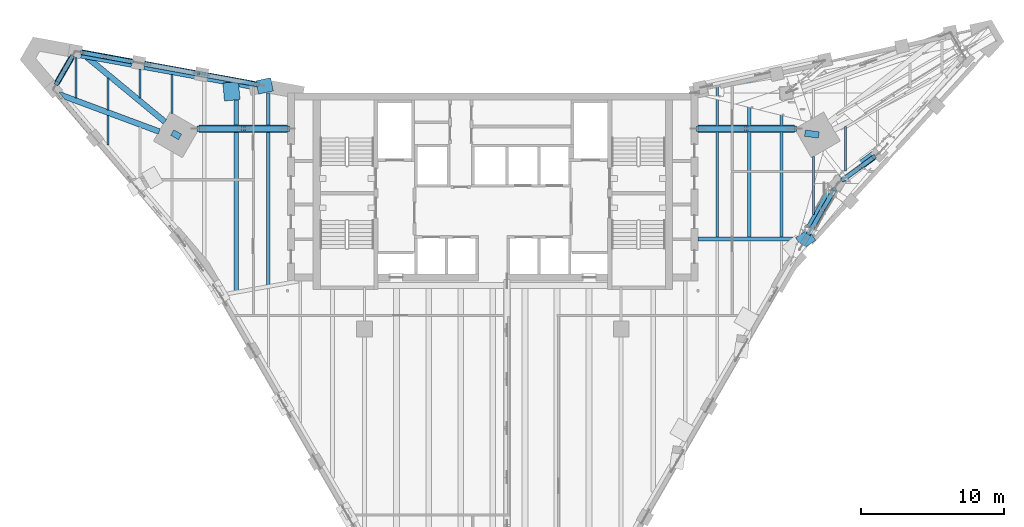
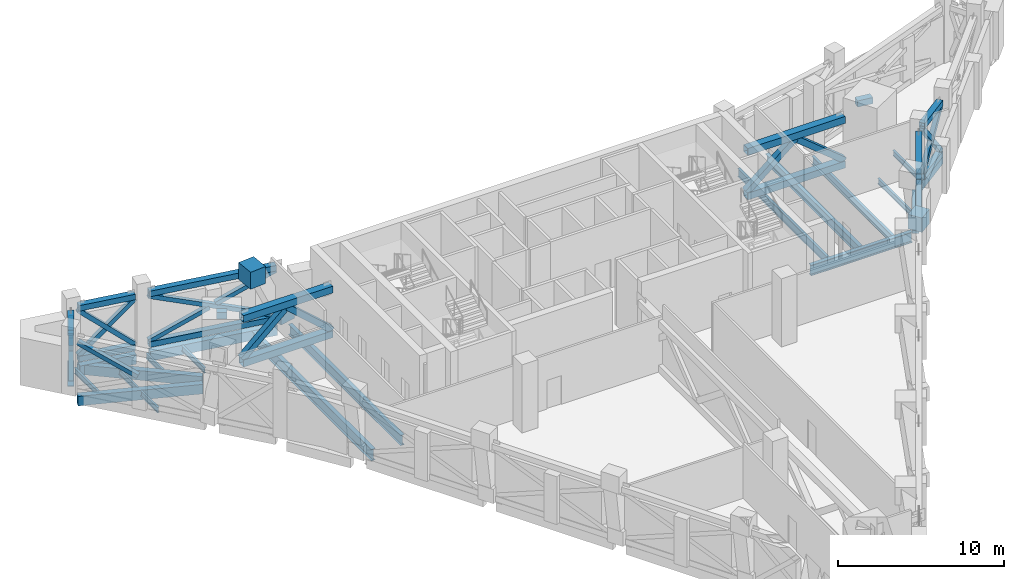
# One storey, part 4 of 23: 34 members, 24 beams.
"""IFC4 building model written with IfcOpenShell, lengths in metres."""

import ifcopenshell
import ifcopenshell.guid

model = None  # the IFC model being written
_history = None  # IfcOwnerHistory: only IFC2X3 demands one
_inside = {}  # id of a spatial element -> (the spatial element, [elements in it])
_under = {}  # id of a project, library or spatial element -> (it, [spatial elements below it])
_declared = {}  # id of a project -> (the project, [libraries it declares])
_typed = {}  # id of a type object -> (the type object, [elements of that type])
_made_of = {}  # id of a material, layer set ... -> (it, [elements and type objects made of it])


def new_model(schema):
    """Start an empty IFC model of exactly this schema.

    Asked for "IFC4X3", IfcOpenShell would pick the latest addendum, in which some entities
    have other attributes; the version numbers below select the first issue.
    IFC2X3 requires an IfcOwnerHistory on every rooted entity: one is made here for all.
    """
    global model, _history
    if schema == "IFC4X3":
        model = ifcopenshell.file(schema_version=(4, 3, 0, 0))
    else:
        model = ifcopenshell.file(schema=schema)
    _inside.clear()
    _under.clear()
    _declared.clear()
    _typed.clear()
    _made_of.clear()
    _history = None
    if model.schema == "IFC2X3":
        org = make("IfcOrganization", Name="unknown")
        user = make(
            "IfcPersonAndOrganization",
            ThePerson=make("IfcPerson", FamilyName="unknown"),
            TheOrganization=org,
        )
        app = make(
            "IfcApplication",
            ApplicationDeveloper=org,
            Version="unknown",
            ApplicationFullName="unknown",
            ApplicationIdentifier="unknown",
        )
        _history = make(
            "IfcOwnerHistory",
            OwningUser=user,
            OwningApplication=app,
            ChangeAction="ADDED",
            CreationDate=0,
        )
    return model


def make(cls, **values):
    """One entity of the class cls with the attributes given. An attribute that is None is left unset."""
    return model.create_entity(
        cls, **{name: value for name, value in values.items() if value is not None}
    )


def rooted(cls, **values):
    """An entity with a GlobalId (a new one), such as an element, a storey or a relation."""
    return make(cls, GlobalId=ifcopenshell.guid.new(), OwnerHistory=_history, **values)


def si_unit(unit_type, name, prefix=None):
    """IfcSIUnit, for example si_unit("LENGTHUNIT", "METRE", prefix="MILLI")."""
    return make("IfcSIUnit", UnitType=unit_type, Prefix=prefix, Name=name)


def assignment(units):
    """IfcUnitAssignment: the units of a project."""
    return None if units is None else make("IfcUnitAssignment", Units=units)


def point(xyz):
    """IfcCartesianPoint."""
    return None if xyz is None else make("IfcCartesianPoint", Coordinates=xyz)


def direction(xyz):
    """IfcDirection."""
    return None if xyz is None else make("IfcDirection", DirectionRatios=xyz)


def frame(location, z_axis=None, x_axis=None):
    """IfcAxis2Placement3D, a coordinate frame: its origin and axes. An axis left out is left unset."""
    return make(
        "IfcAxis2Placement3D",
        Location=point(location),
        Axis=direction(z_axis),
        RefDirection=direction(x_axis),
    )


def frame_2d(location, x_axis=None):
    """IfcAxis2Placement2D, a coordinate frame in the plane: its origin and x axis."""
    return make(
        "IfcAxis2Placement2D", Location=point(location), RefDirection=direction(x_axis)
    )


def origin():
    """The frame at (0, 0, 0) with its axes left unset."""
    return frame((0.0, 0.0, 0.0))


def origin_2d():
    """The frame at (0, 0) in the plane with its x axis left unset."""
    return frame_2d((0.0, 0.0))


def place(relative_to, where):
    """IfcLocalPlacement: puts the frame where relative to a parent placement (None: the world)."""
    return make(
        "IfcLocalPlacement", PlacementRelTo=relative_to, RelativePlacement=where
    )


def context(
    kind, dimensions, precision=None, world=None, true_north=None, identifier=None
):
    """IfcGeometricRepresentationContext, for example the 3D "Model" context."""
    return make(
        "IfcGeometricRepresentationContext",
        ContextIdentifier=identifier,
        ContextType=kind,
        CoordinateSpaceDimension=dimensions,
        Precision=precision,
        WorldCoordinateSystem=world,
        TrueNorth=true_north,
    )


def subcontext(parent, identifier, kind, view, scale=None):
    """IfcGeometricRepresentationSubContext, for example "Body" below "Model"."""
    return make(
        "IfcGeometricRepresentationSubContext",
        ContextIdentifier=identifier,
        ContextType=kind,
        ParentContext=parent,
        TargetScale=scale,
        TargetView=view,
    )


def project(units=None, contexts=None):
    """IfcProject with its units and contexts."""
    return rooted(
        "IfcProject",
        Name="project",
        RepresentationContexts=contexts,
        UnitsInContext=assignment(units),
    )


def spatial(cls, under=None, at=None, **own):
    """A site, building, storey or space (cls), placed at a placement, below another one or the project."""
    s = rooted(cls, ObjectPlacement=at, **own)
    if under is not None:
        _under.setdefault(under.id(), (under, []))[1].append(s)
    return s


def profile(cls, at=None, kind="AREA", **sizes):
    """A parametric profile (cls). Its sizes go by their IFC names, for example OverallWidth=200.0."""
    return make(cls, ProfileType=kind, Position=at, **sizes)


def rectangle(**sizes):
    """IfcRectangleProfileDef."""
    return profile("IfcRectangleProfileDef", **sizes)


def hollow_rectangle(**sizes):
    """IfcRectangleHollowProfileDef."""
    return profile("IfcRectangleHollowProfileDef", **sizes)


def i_section(**sizes):
    """IfcIShapeProfileDef."""
    return profile("IfcIShapeProfileDef", **sizes)


def extrude(swept, where, along, depth):
    """IfcExtrudedAreaSolid: the profile swept, set in the frame where, extruded along a direction by depth."""
    return make(
        "IfcExtrudedAreaSolid",
        SweptArea=swept,
        Position=where,
        ExtrudedDirection=direction(along),
        Depth=depth,
    )


def shape(context_of_items, identifier, shape_type, items):
    """IfcShapeRepresentation: the items that make up one representation, for example the "Body"."""
    return make(
        "IfcShapeRepresentation",
        ContextOfItems=context_of_items,
        RepresentationIdentifier=identifier,
        RepresentationType=shape_type,
        Items=items,
    )


def material(Name=None, Category=None):
    """IfcMaterial."""
    return make("IfcMaterial", Name=Name, Category=Category)


def material_profile(
    of_material, cross_section, Name=None, Category=None, Priority=None
):
    """IfcMaterialProfile: a cross section and its material."""
    return make(
        "IfcMaterialProfile",
        Name=Name,
        Material=of_material,
        Profile=cross_section,
        Priority=Priority,
        Category=Category,
    )


def profile_set(profiles, Name=None, composite=None):
    """IfcMaterialProfileSet."""
    return make(
        "IfcMaterialProfileSet",
        Name=Name,
        MaterialProfiles=profiles,
        CompositeProfile=composite,
    )


def made_of(thing, what):
    """Note that an element or type object is made of a material, layer set ...; save() writes the relation."""
    if what is not None:
        _made_of.setdefault(what.id(), (what, []))[1].append(thing)
    return thing


def type_object(cls, material=None, **own):
    """A type object (cls), such as IfcWallType, which elements share."""
    return made_of(rooted(cls, **own), material)


def element(
    cls,
    number,
    at=None,
    inside=None,
    cuts=None,
    type_object=None,
    material=None,
    context=None,
    identifier="Body",
    shape_type=None,
    held_by="IfcProductDefinitionShape",
    body=None,
    shapes=None,
    **own,
):
    """One element of the class cls, such as IfcWall. Its Tag is "e" and its number.

    at: its placement. inside: the storey or other place that contains it. cuts: it is an
    opening in that element (IfcRelVoidsElement). A single representation is given by context,
    identifier, shape_type and body (its items); several are given by shapes. held_by: the class
    of the entity that holds the representations. save() writes the other relations.
    """
    e = rooted(cls, Tag="e%d" % number, ObjectPlacement=at, **own)
    if body is not None:
        shapes = [shape(context, identifier, shape_type, body)]
    if shapes is not None:
        e.Representation = make(held_by, Representations=shapes)
    if inside is not None:
        _inside.setdefault(inside.id(), (inside, []))[1].append(e)
    if cuts is not None:
        rooted(
            "IfcRelVoidsElement", RelatingBuildingElement=cuts, RelatedOpeningElement=e
        )
    if type_object is not None:
        _typed.setdefault(type_object.id(), (type_object, []))[1].append(e)
    return made_of(e, material)


def aggregate(whole, parts):
    """IfcRelAggregates: a whole, such as a stair, and the parts it consists of."""
    return rooted("IfcRelAggregates", RelatingObject=whole, RelatedObjects=parts)


def save(model, path):
    """Write the relations noted so far, then the file.

    IfcRelAggregates (storeys below a building ...), IfcRelContainedInSpatialStructure (elements
    in a storey), IfcRelDefinesByType, IfcRelAssociatesMaterial and IfcRelDeclares: one each for
    every whole, place, type object, material and project.
    """
    for whole, parts in _under.values():
        aggregate(whole, parts)
    for where, things in _inside.values():
        rooted(
            "IfcRelContainedInSpatialStructure",
            RelatedElements=things,
            RelatingStructure=where,
        )
    for kind, things in _typed.values():
        rooted("IfcRelDefinesByType", RelatedObjects=things, RelatingType=kind)
    for what, things in _made_of.values():
        rooted("IfcRelAssociatesMaterial", RelatedObjects=things, RelatingMaterial=what)
    for by, libraries in _declared.values():
        rooted("IfcRelDeclares", RelatingContext=by, RelatedDefinitions=libraries)
    model.write(path)


model = new_model("IFC4")

# Units and contexts
model_context = context("Model", 3, precision=1e-05, world=origin(), true_north=direction((0.0, 1.0)))
body_context = subcontext(model_context, "Body", "Model", "MODEL_VIEW")
ifc_project = project(units=[si_unit("LENGTHUNIT", "METRE"), si_unit("AREAUNIT", "SQUARE_METRE"), si_unit("VOLUMEUNIT", "CUBIC_METRE"), si_unit("PLANEANGLEUNIT", "RADIAN"), si_unit("MASSUNIT", "GRAM", prefix="KILO")], contexts=[model_context])

# Site, building, storey
site_placement = place(None, origin())
site = spatial("IfcSite", under=ifc_project, at=site_placement, CompositionType="ELEMENT")
building_placement = place(site_placement, origin())
building = spatial("IfcBuilding", under=site, at=building_placement, Name="Calabash Gate Tower", CompositionType="ELEMENT")
storey_placement = place(building_placement, frame((0.0, 0.0, 243.199951171875)))
storey = spatial("IfcBuildingStorey", under=building, at=storey_placement, Name="L58", CompositionType="ELEMENT", Elevation=243.199951171875)

# Members
ifc_material_1 = material(Name="Steel ASTM A500 Gr C", Category="steel")
ifc_material_profile_1 = material_profile(ifc_material_1, hollow_rectangle(XDim=0.406494140625, YDim=0.406494140625, WallThickness=0.015869140625, at=origin_2d()))
ifc_profile_set_1 = profile_set([ifc_material_profile_1], Name="Steel ASTM A500 Gr C")
member_type_1 = type_object("IfcMemberType", Name="Belt truss chord HSS16X16X.625 ASTM A500 Gr C", PredefinedType="CHORD", material=ifc_profile_set_1)
member_1_placement = place(storey_placement, frame((22.176513671875, 9.211181640625, 0.203369140625), z_axis=(0.49998429182, 0.866034472717, 0.0), x_axis=(-0.866034472717, 0.49998429182, 0.0)))
element("IfcMember", 1, at=member_1_placement, inside=storey, type_object=member_type_1, Name="Belt chord L58 46", PredefinedType="CHORD", context=body_context, shape_type="SweptSolid", body=[
    extrude(hollow_rectangle(XDim=0.406494140625, YDim=0.406494140625, WallThickness=0.015869140625, at=origin_2d()), origin(), (0.0, 0.0, 1.0), 3.578125),
])
member_2_placement = place(storey_placement, frame((21.712890625, 8.408935546875, 3.927001953125), z_axis=(0.500061782828, 0.865989728818, -5.419549e-05), x_axis=(-0.86598973009, 0.500061783562, 0.0)))
element("IfcMember", 2, at=member_2_placement, inside=storey, type_object=member_type_1, Name="Belt chord L58 47", PredefinedType="CHORD", context=body_context, shape_type="SweptSolid", body=[
    extrude(hollow_rectangle(XDim=0.406494140625, YDim=0.406494140625, WallThickness=0.015869140625, at=origin_2d()), origin(), (0.0, 0.0, 1.0), 4.5048828125),
])
for number, where, z_axis, x_axis, name in (
    (3, (24.5673828125, 12.9794921875, 0.203369140625), (0.808471923474, 0.588534747449, 0.0), (-0.588534747449, 0.808471923474, 0.0), "Belt chord L58 51"),
    (4, (24.5673828125, 12.9794921875, 3.9267578125), (0.808471923474, 0.588534747449, 0.0), (-0.588534747449, 0.808471923474, 0.0), "Belt chord L58 52"),
):
    element("IfcMember", number, at=place(storey_placement, frame(where, z_axis=z_axis, x_axis=x_axis)), inside=storey, type_object=member_type_1, Name=name, PredefinedType="CHORD", context=body_context, shape_type="SweptSolid", body=[
        extrude(hollow_rectangle(XDim=0.406494140625, YDim=0.406494140625, WallThickness=0.015869140625, at=origin_2d()), origin(), (0.0, 0.0, 1.0), 2.678466796875),
    ])
for number, where, z_axis, x_axis, name in (
    (5, (-16.4560546875, 19.631591796875, 0.203369140625), (-0.983666734992, 0.179999317973, 0.0), (-0.179999317973, -0.983666734992, 0.0), "Belt chord L58 81"),
    (6, (-16.4560546875, 19.631591796875, 3.9267578125), (-0.983666734992, 0.179999317973, 0.0), (-0.179999317973, -0.983666734992, 0.0), "Belt chord L58 82"),
):
    element("IfcMember", number, at=place(storey_placement, frame(where, z_axis=z_axis, x_axis=x_axis)), inside=storey, type_object=member_type_1, Name=name, PredefinedType="CHORD", context=body_context, shape_type="SweptSolid", body=[
        extrude(hollow_rectangle(XDim=0.406494140625, YDim=0.406494140625, WallThickness=0.015869140625, at=origin_2d()), origin(), (0.0, 0.0, 1.0), 8.10009765625),
    ])
for number, where, z_axis, x_axis, name in (
    (7, (-25.30908203125, 21.25146484375, 0.203369140625), (-0.983669647318, 0.17998340186, 0.0), (-0.17998340186, -0.983669647318, 0.0), "Belt chord L58 86"),
    (8, (-25.30908203125, 21.25146484375, 3.9267578125), (-0.983669647318, 0.17998340186, 0.0), (-0.17998340186, -0.983669647318, 0.0), "Belt chord L58 87"),
):
    element("IfcMember", number, at=place(storey_placement, frame(where, z_axis=z_axis, x_axis=x_axis)), inside=storey, type_object=member_type_1, Name=name, PredefinedType="CHORD", context=body_context, shape_type="SweptSolid", body=[
        extrude(hollow_rectangle(XDim=0.406494140625, YDim=0.406494140625, WallThickness=0.015869140625, at=origin_2d()), origin(), (0.0, 0.0, 1.0), 3.60009765625),
    ])
for number, where, z_axis, x_axis, name in (
    (9, (-29.531982421875, 21.566650390625, 0.203369140625), (-0.499965779899, -0.866045159867, 0.0), (0.866045159867, -0.499965779899, 0.0), "Belt chord L58 91"),
    (10, (-29.531982421875, 21.566650390625, 3.9267578125), (-0.499965779899, -0.866045159867, 0.0), (0.866045159867, -0.499965779899, 0.0), "Belt chord L58 92"),
):
    element("IfcMember", number, at=place(storey_placement, frame(where, z_axis=z_axis, x_axis=x_axis)), inside=storey, type_object=member_type_1, Name=name, PredefinedType="CHORD", context=body_context, shape_type="SweptSolid", body=[
        extrude(hollow_rectangle(XDim=0.406494140625, YDim=0.406494140625, WallThickness=0.015869140625, at=origin_2d()), origin(), (0.0, 0.0, 1.0), 2.113525390625),
    ])
ifc_material_2 = material(Name="Steel ASTM A500 Gr C", Category="steel")
ifc_material_profile_2 = material_profile(ifc_material_2, hollow_rectangle(XDim=0.3046875, YDim=0.3046875, WallThickness=0.0126953125, at=origin_2d()))
ifc_profile_set_2 = profile_set([ifc_material_profile_2], Name="Steel ASTM A500 Gr C")
member_type_2 = type_object("IfcMemberType", Name="Belt truss diagonal HSS12X12X.500 ASTM A500 Gr C", PredefinedType="BRACE", material=ifc_profile_set_2)
member_3_placement = place(storey_placement, frame((22.176513671875, 9.211181640625, 0.406494140625), z_axis=(0.366666662714, 0.635111892717, 0.679844424986), x_axis=(-0.866034472717, 0.49998429182, 0.0)))
element("IfcMember", 11, at=member_3_placement, inside=storey, type_object=member_type_2, Name="Belt diagonal L58 48", PredefinedType="BRACE", context=body_context, shape_type="SweptSolid", body=[
    extrude(hollow_rectangle(XDim=0.3046875, YDim=0.3046875, WallThickness=0.0126953125, at=origin_2d()), origin(), (0.0, 0.0, 1.0), 4.879150390625),
])
for number, where, z_axis, x_axis, name in (
    (12, (22.176513671875, 9.211181640625, 3.7236328125), (0.366619349641, 0.635124784803, -0.679857897062), (-0.866066801648, 0.499928289941, 0.0), "Belt diagonal (split) L58 49 half 1 of 2"),
    (13, (23.126953125, 10.857666015625, 1.961181640625), (0.366711756019, 0.635099923306, -0.679831284521), (-0.866003766563, 0.500037474894, 0.0), "Belt diagonal (split) L58 50 half 2 of 2"),
):
    element("IfcMember", number, at=place(storey_placement, frame(where, z_axis=z_axis, x_axis=x_axis)), inside=storey, type_object=member_type_2, Name=name, PredefinedType="BRACE", context=body_context, shape_type="SweptSolid", body=[
        extrude(hollow_rectangle(XDim=0.3046875, YDim=0.3046875, WallThickness=0.0126953125, at=origin_2d()), origin(), (0.0, 0.0, 1.0), 2.286865234375),
    ])
member_4_placement = place(storey_placement, frame((24.5673828125, 12.9794921875, 0.406494140625), z_axis=(0.507914441657, 0.369741099186, 0.778019562434), x_axis=(-0.588534747449, 0.808471923474, 0.0)))
element("IfcMember", 14, at=member_4_placement, inside=storey, type_object=member_type_2, Name="Belt diagonal L58 53", PredefinedType="BRACE", context=body_context, shape_type="SweptSolid", body=[
    extrude(hollow_rectangle(XDim=0.3046875, YDim=0.3046875, WallThickness=0.0126953125, at=origin_2d()), origin(), (0.0, 0.0, 1.0), 4.263671875),
])
member_5_placement = place(storey_placement, frame((24.5673828125, 12.9794921875, 3.7236328125), z_axis=(0.50791584092, 0.369786453873, -0.77799709323), x_axis=(-0.588580872123, 0.80843834457, 0.0)))
element("IfcMember", 15, at=member_5_placement, inside=storey, type_object=member_type_2, Name="Belt diagonal (split) L58 54 half 1 of 2", PredefinedType="BRACE", context=body_context, shape_type="SweptSolid", body=[
    extrude(hollow_rectangle(XDim=0.3046875, YDim=0.3046875, WallThickness=0.0126953125, at=origin_2d()), origin(), (0.0, 0.0, 1.0), 1.97607421875),
])
member_6_placement = place(storey_placement, frame((25.729248046875, 13.825439453125, 1.94384765625), z_axis=(0.507939043925, 0.369679790665, -0.778032634297), x_axis=(-0.588452323142, 0.808531918596, 0.0)))
element("IfcMember", 16, at=member_6_placement, inside=storey, type_object=member_type_2, Name="Belt diagonal (split) L58 55 half 2 of 2", PredefinedType="BRACE", context=body_context, shape_type="SweptSolid", body=[
    extrude(hollow_rectangle(XDim=0.3046875, YDim=0.3046875, WallThickness=0.0126953125, at=origin_2d()), origin(), (0.0, 0.0, 1.0), 1.975830078125),
])
member_7_placement = place(storey_placement, frame((-16.4560546875, 19.631591796875, 0.406494140625), z_axis=(-0.910292953437, 0.166572788268, 0.378972617917), x_axis=(-0.179999317973, -0.983666734992, 0.0)))
element("IfcMember", 17, at=member_7_placement, inside=storey, type_object=member_type_2, Name="Belt diagonal L58 83", PredefinedType="BRACE", context=body_context, shape_type="SweptSolid", body=[
    extrude(hollow_rectangle(XDim=0.3046875, YDim=0.3046875, WallThickness=0.0126953125, at=origin_2d()), origin(), (0.0, 0.0, 1.0), 8.7529296875),
])
for number, where, z_axis, x_axis, name in (
    (18, (-16.4560546875, 19.631591796875, 3.7236328125), (-0.910296687744, 0.166586407004, -0.378957661599), (-0.180012843036, -0.98366425997, 0.0), "Belt diagonal (split) L58 84 half 1 of 2"),
    (19, (-20.6376953125, 20.396728515625, 1.982666015625), (-0.910296687744, 0.166586407004, -0.378957661599), (-0.180012843036, -0.98366425997, 0.0), "Belt diagonal (split) L58 85 half 2 of 2"),
):
    element("IfcMember", number, at=place(storey_placement, frame(where, z_axis=z_axis, x_axis=x_axis)), inside=storey, type_object=member_type_2, Name=name, PredefinedType="BRACE", context=body_context, shape_type="SweptSolid", body=[
        extrude(hollow_rectangle(XDim=0.3046875, YDim=0.3046875, WallThickness=0.0126953125, at=origin_2d()), origin(), (0.0, 0.0, 1.0), 4.1591796875),
    ])
member_8_placement = place(storey_placement, frame((-25.30908203125, 21.25146484375, 0.406494140625), z_axis=(-0.72340287927, 0.132362029754, 0.677619780809), x_axis=(-0.17998340186, -0.983669647318, 0.0)))
element("IfcMember", 20, at=member_8_placement, inside=storey, type_object=member_type_2, Name="Belt diagonal L58 88", PredefinedType="BRACE", context=body_context, shape_type="SweptSolid", body=[
    extrude(hollow_rectangle(XDim=0.3046875, YDim=0.3046875, WallThickness=0.0126953125, at=origin_2d()), origin(), (0.0, 0.0, 1.0), 4.895263671875),
])
member_9_placement = place(storey_placement, frame((-25.30908203125, 21.25146484375, 3.7236328125), z_axis=(-0.723438246089, 0.132346643843, -0.677585027844), x_axis=(-0.179954645036, -0.98367490856, 0.0)))
element("IfcMember", 21, at=member_9_placement, inside=storey, type_object=member_type_2, Name="Belt diagonal (split) L58 89 half 1 of 2", PredefinedType="BRACE", context=body_context, shape_type="SweptSolid", body=[
    extrude(hollow_rectangle(XDim=0.3046875, YDim=0.3046875, WallThickness=0.0126953125, at=origin_2d()), origin(), (0.0, 0.0, 1.0), 2.294921875),
])
member_10_placement = place(storey_placement, frame((-27.1904296875, 21.595703125, 1.96142578125), z_axis=(-0.723387531777, 0.132356830347, -0.677637180451), x_axis=(-0.179980255539, -0.983670223, 0.0)))
element("IfcMember", 22, at=member_10_placement, inside=storey, type_object=member_type_2, Name="Belt diagonal (split) L58 90 half 2 of 2", PredefinedType="BRACE", context=body_context, shape_type="SweptSolid", body=[
    extrude(hollow_rectangle(XDim=0.3046875, YDim=0.3046875, WallThickness=0.0126953125, at=origin_2d()), origin(), (0.0, 0.0, 1.0), 2.294677734375),
])
member_11_placement = place(storey_placement, frame((-29.531982421875, 21.566650390625, 0.406494140625), z_axis=(-0.268647285356, -0.465353211255, 0.843371226), x_axis=(0.866045159867, -0.499965779899, 0.0)))
element("IfcMember", 23, at=member_11_placement, inside=storey, type_object=member_type_2, Name="Belt diagonal L58 93", PredefinedType="BRACE", context=body_context, shape_type="SweptSolid", body=[
    extrude(hollow_rectangle(XDim=0.3046875, YDim=0.3046875, WallThickness=0.0126953125, at=origin_2d()), origin(), (0.0, 0.0, 1.0), 3.93310546875),
])
for number, where, z_axis, x_axis, name in (
    (24, (-29.531982421875, 21.566650390625, 3.7236328125), (-0.268639523646, -0.465334152127, -0.843384214459), (0.866042548026, -0.499970304126, 0.0), "Belt diagonal (split) L58 94 half 1 of 2"),
    (25, (-30.10546875, 20.5732421875, 1.92333984375), (-0.268639523646, -0.465334152127, -0.843384214459), (0.866042548026, -0.499970304126, 0.0), "Belt diagonal (split) L58 95 half 2 of 2"),
):
    element("IfcMember", number, at=place(storey_placement, frame(where, z_axis=z_axis, x_axis=x_axis)), inside=storey, type_object=member_type_2, Name=name, PredefinedType="BRACE", context=body_context, shape_type="SweptSolid", body=[
        extrude(hollow_rectangle(XDim=0.3046875, YDim=0.3046875, WallThickness=0.0126953125, at=origin_2d()), origin(), (0.0, 0.0, 1.0), 1.798583984375),
    ])
member_12_placement = place(storey_placement, frame((-30.5361328125, 18.9794921875, 3.7236328125), z_axis=(0.599395052096, -0.705056700688, -0.37897311295), x_axis=(0.76188766711, 0.647709180656, 0.0)))
element("IfcMember", 26, at=member_12_placement, inside=storey, type_object=member_type_2, Name="Belt diagonal (split) L58 99 half 1 of 2", PredefinedType="BRACE", context=body_context, shape_type="SweptSolid", body=[
    extrude(hollow_rectangle(XDim=0.3046875, YDim=0.3046875, WallThickness=0.0126953125, at=origin_2d()), origin(), (0.0, 0.0, 1.0), 4.1591796875),
])

# Beams
ifc_material_3 = material(Name="Concrete C80/95", Category="concrete")
ifc_material_profile_3 = material_profile(ifc_material_3, rectangle(XDim=0.449951171875, YDim=0.449951171875, at=origin_2d()))
ifc_profile_set_3 = profile_set([ifc_material_profile_3], Name="Concrete C80/95")
beam_type_1 = type_object("IfcBeamType", Name="Column offset link RC 450x450 Concrete C80/95", PredefinedType="BEAM", material=ifc_profile_set_3)
beam_1_placement = place(storey_placement, frame((22.873046875, 16.10302734375, 4.60400390625), z_axis=(-0.98982582074, 0.142284379314, 0.0), x_axis=(-0.142284379314, -0.98982582074, 0.0)))
element("IfcBeam", 27, at=beam_1_placement, inside=storey, type_object=beam_type_1, Name="Column offset link L58 NE", PredefinedType="BEAM", context=body_context, shape_type="SweptSolid", body=[
    extrude(rectangle(XDim=0.449951171875, YDim=0.449951171875, at=origin_2d()), origin(), (0.0, 0.0, 1.0), 0.989990234375),
])
beam_2_placement = place(storey_placement, frame((-21.94189453125, 15.967041015625, 4.60400390625), z_axis=(-0.867621901923, 0.497224532081, 0.0), x_axis=(-0.497224532081, -0.867621901923, 0.0)))
element("IfcBeam", 28, at=beam_2_placement, inside=storey, type_object=beam_type_1, Name="Column offset link L58 NW", PredefinedType="BEAM", context=body_context, shape_type="SweptSolid", body=[
    extrude(rectangle(XDim=0.449951171875, YDim=0.449951171875, at=origin_2d()), origin(), (0.0, 0.0, 1.0), 0.62939453125),
])
ifc_material_4 = material(Name="Concrete C50/60", Category="concrete")
ifc_material_profile_4 = material_profile(ifc_material_4, rectangle(XDim=0.39990234375, YDim=0.699951171875, at=origin_2d()))
ifc_profile_set_4 = profile_set([ifc_material_profile_4], Name="Concrete C50/60")
beam_type_2 = type_object("IfcBeamType", Name="Edge beam RC 400x700 Concrete C50/60", PredefinedType="BEAM", material=ifc_profile_set_4)
beam_3_placement = place(storey_placement, frame((21.998046875, 9.302001953125, -0.52001953125), z_axis=(0.499982693035, 0.866035395735, 0.0), x_axis=(-0.866035395735, 0.499982693035, 0.0)))
element("IfcBeam", 29, at=beam_3_placement, inside=storey, type_object=beam_type_2, Name="Edge beam L58 10", PredefinedType="BEAM", context=body_context, shape_type="SweptSolid", body=[
    extrude(rectangle(XDim=0.39990234375, YDim=0.699951171875, at=origin_2d()), origin(), (0.0, 0.0, 1.0), 3.600341796875),
])
beam_4_placement = place(storey_placement, frame((24.39697265625, 13.10107421875, -0.52001953125), z_axis=(0.808251517735, 0.588837400374, 0.0), x_axis=(-0.588837400374, 0.808251517735, 0.0)))
element("IfcBeam", 30, at=beam_4_placement, inside=storey, type_object=beam_type_2, Name="Edge beam L58 11", PredefinedType="BEAM", context=body_context, shape_type="SweptSolid", body=[
    extrude(rectangle(XDim=0.39990234375, YDim=0.699951171875, at=origin_2d()), origin(), (0.0, 0.0, 1.0), 3.20458984375),
])
beam_5_placement = place(storey_placement, frame((-16.491943359375, 19.43701171875, -0.52001953125), z_axis=(-0.983710376503, 0.179760660767, 0.0), x_axis=(-0.179760660767, -0.983710376503, 0.0)))
element("IfcBeam", 31, at=beam_5_placement, inside=storey, type_object=beam_type_2, Name="Edge beam L58 18", PredefinedType="BEAM", context=body_context, shape_type="SweptSolid", body=[
    extrude(rectangle(XDim=0.39990234375, YDim=0.699951171875, at=origin_2d()), origin(), (0.0, 0.0, 1.0), 8.099853515625),
])
beam_6_placement = place(storey_placement, frame((-25.343017578125, 21.056884765625, -0.52001953125), z_axis=(-0.983780846892, 0.179374594879, 0.0), x_axis=(-0.179374594879, -0.983780846892, 0.0)))
element("IfcBeam", 32, at=beam_6_placement, inside=storey, type_object=beam_type_2, Name="Edge beam L58 19", PredefinedType="BEAM", context=body_context, shape_type="SweptSolid", body=[
    extrude(rectangle(XDim=0.39990234375, YDim=0.699951171875, at=origin_2d()), origin(), (0.0, 0.0, 1.0), 3.601318359375),
])
beam_7_placement = place(storey_placement, frame((-28.87890625, 21.89794921875, -0.52001953125), z_axis=(0.770419273433, -0.637537562127, 0.0), x_axis=(0.637537562127, 0.770419273433, 0.0)))
element("IfcBeam", 33, at=beam_7_placement, inside=storey, type_object=beam_type_2, Name="Edge beam L58 20", PredefinedType="BEAM", context=body_context, shape_type="SweptSolid", body=[
    extrude(rectangle(XDim=0.39990234375, YDim=0.699951171875, at=origin_2d()), origin(), (0.0, 0.0, 1.0), 7.622802734375),
])
beam_8_placement = place(storey_placement, frame((-23.404052734375, 16.34912109375, -0.52001953125), z_axis=(-0.937249841572, 0.348658478275, 0.0), x_axis=(-0.348658478275, -0.937249841572, 0.0)))
element("IfcBeam", 34, at=beam_8_placement, inside=storey, type_object=beam_type_2, Name="Edge beam L58 21", PredefinedType="BEAM", context=body_context, shape_type="SweptSolid", body=[
    extrude(rectangle(XDim=0.39990234375, YDim=0.699951171875, at=origin_2d()), origin(), (0.0, 0.0, 1.0), 7.623291015625),
])
ifc_material_5 = material(Name="Steel ASTM A992 Gr50", Category="steel")
ifc_material_profile_5 = material_profile(ifc_material_5, i_section(OverallWidth=0.1396484375, OverallDepth=0.398681640625, WebThickness=0.00634765625, FlangeThickness=0.0087890625, FilletRadius=0.01025390625, at=origin_2d()))
ifc_profile_set_5 = profile_set([ifc_material_profile_5], Name="Steel ASTM A992 Gr50")
beam_type_3 = type_object("IfcBeamType", Name="Floor beam W16x26 ASTM A992 Gr50", PredefinedType="BEAM", material=ifc_profile_set_5)
beam_9_placement = place(storey_placement, frame((-29.25, 18.7041015625, -0.368896484375), z_axis=(0.0, 1.0, 0.0), x_axis=(-1.0, 0.0, 0.0)))
element("IfcBeam", 35, at=beam_9_placement, inside=storey, type_object=beam_type_3, Name="Floor beam L58 1", PredefinedType="BEAM", context=body_context, shape_type="SweptSolid", body=[
    extrude(i_section(OverallWidth=0.1396484375, OverallDepth=0.398681640625, WebThickness=0.00634765625, FlangeThickness=0.0087890625, FilletRadius=0.01025390625, at=origin_2d()), origin(), (0.0, 0.0, 1.0), 2.843017578125),
])
beam_10_placement = place(storey_placement, frame((-27.0, 15.416015625, -0.368896484375), z_axis=(0.0, 1.0, 0.0), x_axis=(-1.0, 0.0, 0.0)))
element("IfcBeam", 36, at=beam_10_placement, inside=storey, type_object=beam_type_3, Name="Floor beam L58 2", PredefinedType="BEAM", context=body_context, shape_type="SweptSolid", body=[
    extrude(i_section(OverallWidth=0.1396484375, OverallDepth=0.398681640625, WebThickness=0.00634765625, FlangeThickness=0.0087890625, FilletRadius=0.01025390625, at=origin_2d()), origin(), (0.0, 0.0, 1.0), 2.071044921875),
])
beam_11_placement = place(storey_placement, frame((-27.0, 17.866943359375, -0.368896484375), z_axis=(0.0, 1.0, 0.0), x_axis=(-1.0, 0.0, 0.0)))
element("IfcBeam", 37, at=beam_11_placement, inside=storey, type_object=beam_type_3, Name="Floor beam L58 3", PredefinedType="BEAM", context=body_context, shape_type="SweptSolid", body=[
    extrude(i_section(OverallWidth=0.1396484375, OverallDepth=0.398681640625, WebThickness=0.00634765625, FlangeThickness=0.0087890625, FilletRadius=0.01025390625, at=origin_2d()), origin(), (0.0, 0.0, 1.0), 2.239990234375),
])
beam_12_placement = place(storey_placement, frame((-24.75, 18.718994140625, -0.368896484375), z_axis=(0.0, 1.0, 0.0), x_axis=(-1.0, 0.0, 0.0)))
element("IfcBeam", 38, at=beam_12_placement, inside=storey, type_object=beam_type_3, Name="Floor beam L58 5", PredefinedType="BEAM", context=body_context, shape_type="SweptSolid", body=[
    extrude(i_section(OverallWidth=0.1396484375, OverallDepth=0.398681640625, WebThickness=0.00634765625, FlangeThickness=0.0087890625, FilletRadius=0.01025390625, at=origin_2d()), origin(), (0.0, 0.0, 1.0), 2.005126953125),
])
beam_13_placement = place(storey_placement, frame((-22.5, 17.611083984375, -0.368896484375), z_axis=(0.0, 1.0, 0.0), x_axis=(-1.0, 0.0, 0.0)))
element("IfcBeam", 39, at=beam_13_placement, inside=storey, type_object=beam_type_3, Name="Floor beam L58 7", PredefinedType="BEAM", context=body_context, shape_type="SweptSolid", body=[
    extrude(i_section(OverallWidth=0.1396484375, OverallDepth=0.398681640625, WebThickness=0.00634765625, FlangeThickness=0.0087890625, FilletRadius=0.01025390625, at=origin_2d()), origin(), (0.0, 0.0, 1.0), 2.751953125),
])
beam_14_placement = place(storey_placement, frame((22.5, 10.5400390625, -0.368896484375), z_axis=(0.0, 1.0, 0.0), x_axis=(-1.0, 0.0, 0.0)))
element("IfcBeam", 40, at=beam_14_placement, inside=storey, type_object=beam_type_3, Name="Floor beam L58 40", PredefinedType="BEAM", context=body_context, shape_type="SweptSolid", body=[
    extrude(i_section(OverallWidth=0.1396484375, OverallDepth=0.398681640625, WebThickness=0.00634765625, FlangeThickness=0.0087890625, FilletRadius=0.01025390625, at=origin_2d()), origin(), (0.0, 0.0, 1.0), 4.073974609375),
])
beam_15_placement = place(storey_placement, frame((24.75, 13.576904296875, -0.368896484375), z_axis=(0.0, 1.0, 0.0), x_axis=(-1.0, 0.0, 0.0)))
element("IfcBeam", 41, at=beam_15_placement, inside=storey, type_object=beam_type_3, Name="Floor beam L58 42", PredefinedType="BEAM", context=body_context, shape_type="SweptSolid", body=[
    extrude(i_section(OverallWidth=0.1396484375, OverallDepth=0.398681640625, WebThickness=0.00634765625, FlangeThickness=0.0087890625, FilletRadius=0.01025390625, at=origin_2d()), origin(), (0.0, 0.0, 1.0), 3.129150390625),
])
ifc_material_6 = material(Name="Steel ASTM A992 Gr50", Category="steel")
ifc_material_profile_6 = material_profile(ifc_material_6, i_section(OverallWidth=0.1787109375, OverallDepth=0.60205078125, WebThickness=0.010986328125, FlangeThickness=0.014892578125, FilletRadius=0.0126953125, at=origin_2d()))
ifc_profile_set_6 = profile_set([ifc_material_profile_6], Name="Steel ASTM A992 Gr50")
beam_type_4 = type_object("IfcBeamType", Name="Floor beam W24x62 ASTM A992 Gr50", PredefinedType="BEAM", material=ifc_profile_set_6)
beam_16_placement = place(storey_placement, frame((15.75, 8.947021484375, -0.470947265625), z_axis=(0.0, 1.0, 0.0), x_axis=(-1.0, 0.0, 0.0)))
element("IfcBeam", 42, at=beam_16_placement, inside=storey, type_object=beam_type_4, Name="Floor beam L58 35", PredefinedType="BEAM", context=body_context, shape_type="SweptSolid", body=[
    extrude(i_section(OverallWidth=0.1787109375, OverallDepth=0.60205078125, WebThickness=0.010986328125, FlangeThickness=0.014892578125, FilletRadius=0.0126953125, at=origin_2d()), origin(), (0.0, 0.0, 1.0), 10.764892578125),
])
beam_17_placement = place(storey_placement, frame((20.25, 8.947021484375, -0.470947265625), z_axis=(0.0, 1.0, 0.0), x_axis=(-1.0, 0.0, 0.0)))
element("IfcBeam", 43, at=beam_17_placement, inside=storey, type_object=beam_type_4, Name="Floor beam L58 39", PredefinedType="BEAM", context=body_context, shape_type="SweptSolid", body=[
    extrude(i_section(OverallWidth=0.1787109375, OverallDepth=0.60205078125, WebThickness=0.010986328125, FlangeThickness=0.014892578125, FilletRadius=0.0126953125, at=origin_2d()), origin(), (0.0, 0.0, 1.0), 9.656005859375),
])
ifc_material_7 = material(Name="Steel ASTM A992 Gr50", Category="steel")
ifc_material_profile_7 = material_profile(ifc_material_7, i_section(OverallWidth=0.25390625, OverallDepth=0.67822265625, WebThickness=0.01171875, FlangeThickness=0.016357421875, FilletRadius=0.01513671875, at=origin_2d()))
ifc_profile_set_7 = profile_set([ifc_material_profile_7], Name="Steel ASTM A992 Gr50")
beam_type_5 = type_object("IfcBeamType", Name="Floor beam W27x84 ASTM A992 Gr50", PredefinedType="BEAM", material=ifc_profile_set_7)
beam_18_placement = place(storey_placement, frame((18.0, 8.947021484375, -0.509033203125), z_axis=(0.0, 1.0, 0.0), x_axis=(-1.0, 0.0, 0.0)))
element("IfcBeam", 44, at=beam_18_placement, inside=storey, type_object=beam_type_5, Name="Floor beam L58 37", PredefinedType="BEAM", context=body_context, shape_type="SweptSolid", body=[
    extrude(i_section(OverallWidth=0.25390625, OverallDepth=0.67822265625, WebThickness=0.01171875, FlangeThickness=0.016357421875, FilletRadius=0.01513671875, at=origin_2d()), origin(), (0.0, 0.0, 1.0), 11.261962890625),
])
ifc_material_8 = material(Name="Steel ASTM A992 Gr50", Category="steel")
ifc_material_profile_8 = material_profile(ifc_material_8, i_section(OverallWidth=0.2666015625, OverallDepth=0.7568359375, WebThickness=0.013916015625, FlangeThickness=0.019287109375, FilletRadius=0.0166015625, at=origin_2d()))
ifc_profile_set_8 = profile_set([ifc_material_profile_8], Name="Steel ASTM A992 Gr50")
beam_type_6 = type_object("IfcBeamType", Name="Floor beam W30x108 ASTM A992 Gr50", PredefinedType="BEAM", material=ifc_profile_set_8)
beam_19_placement = place(storey_placement, frame((-15.75, 5.5830078125, -0.5478515625), z_axis=(0.0, 1.0, 0.0), x_axis=(-1.0, 0.0, 0.0)))
element("IfcBeam", 45, at=beam_19_placement, inside=storey, type_object=beam_type_6, Name="Floor beam L58 11", PredefinedType="BEAM", context=body_context, shape_type="SweptSolid", body=[
    extrude(i_section(OverallWidth=0.2666015625, OverallDepth=0.7568359375, WebThickness=0.013916015625, FlangeThickness=0.019287109375, FilletRadius=0.0166015625, at=origin_2d()), origin(), (0.0, 0.0, 1.0), 13.48388671875),
])
ifc_material_9 = material(Name="Steel ASTM A992 Gr50", Category="steel")
ifc_material_profile_9 = material_profile(ifc_material_9, i_section(OverallWidth=0.2919921875, OverallDepth=0.845703125, WebThickness=0.015380859375, FlangeThickness=0.0244140625, FilletRadius=0.017822265625, at=origin_2d()))
ifc_profile_set_9 = profile_set([ifc_material_profile_9], Name="Steel ASTM A992 Gr50")
beam_type_7 = type_object("IfcBeamType", Name="Floor beam W33x141 ASTM A992 Gr50", PredefinedType="BEAM", material=ifc_profile_set_9)
beam_20_placement = place(storey_placement, frame((-18.0, 5.179931640625, -0.593017578125), z_axis=(0.0, 1.0, 0.0), x_axis=(-1.0, 0.0, 0.0)))
element("IfcBeam", 46, at=beam_20_placement, inside=storey, type_object=beam_type_7, Name="Floor beam L58 9", PredefinedType="BEAM", context=body_context, shape_type="SweptSolid", body=[
    extrude(i_section(OverallWidth=0.2919921875, OverallDepth=0.845703125, WebThickness=0.015380859375, FlangeThickness=0.0244140625, FilletRadius=0.017822265625, at=origin_2d()), origin(), (0.0, 0.0, 1.0), 14.360107421875),
])
ifc_material_10 = material(Name="Steel ASTM A992 Gr50", Category="steel")
ifc_material_profile_10 = material_profile(ifc_material_10, i_section(OverallWidth=0.2666015625, OverallDepth=0.77978515625, WebThickness=0.0166015625, FlangeThickness=0.030029296875, FilletRadius=0.0166015625, at=origin_2d()))
ifc_profile_set_10 = profile_set([ifc_material_profile_10], Name="Steel ASTM A992 Gr50")
beam_type_8 = type_object("IfcBeamType", Name="Girder W30x148 ASTM A992 Gr50", PredefinedType="BEAM", material=ifc_profile_set_10)
beam_21_placement = place(storey_placement, frame((21.447998046875, 8.81201171875, -0.56005859375), z_axis=(-1.0, 0.0, 0.0), x_axis=(0.0, -1.0, 0.0)))
element("IfcBeam", 47, at=beam_21_placement, inside=storey, type_object=beam_type_8, Name="Girder L58 3", PredefinedType="BEAM", context=body_context, shape_type="SweptSolid", body=[
    extrude(i_section(OverallWidth=0.2666015625, OverallDepth=0.77978515625, WebThickness=0.0166015625, FlangeThickness=0.030029296875, FilletRadius=0.0166015625, at=origin_2d()), origin(), (0.0, 0.0, 1.0), 7.048095703125),
])

# Members
ifc_material_11 = material(Name="Steel ASTM A500 Gr C", Category="steel")
ifc_material_profile_11 = material_profile(ifc_material_11, hollow_rectangle(XDim=0.508056640625, YDim=0.508056640625, WallThickness=0.01904296875, at=origin_2d()))
ifc_profile_set_11 = profile_set([ifc_material_profile_11], Name="Steel ASTM A500 Gr C")
member_type_3 = type_object("IfcMemberType", Name="Outrigger chord HSS20X20X.750 ASTM A500 Gr C", PredefinedType="CHORD", material=ifc_profile_set_11)
for number, where, z_axis, x_axis, name in (
    (48, (21.16845703125, 16.547119140625, 0.254150390625), (-1.0, 0.0, 0.0), (0.0, -1.0, 0.0), "Outrigger chord L58 NE"),
    (49, (21.16845703125, 16.547119140625, 3.526123046875), (-1.0, 0.0, 0.0), (0.0, -1.0, 0.0), "Outrigger chord L58 NE"),
):
    element("IfcMember", number, at=place(storey_placement, frame(where, z_axis=z_axis, x_axis=x_axis)), inside=storey, type_object=member_type_3, Name=name, PredefinedType="CHORD", context=body_context, shape_type="SweptSolid", body=[
        extrude(hollow_rectangle(XDim=0.508056640625, YDim=0.508056640625, WallThickness=0.01904296875, at=origin_2d()), origin(), (0.0, 0.0, 1.0), 6.7685546875),
    ])
for number, where, z_axis, x_axis, name in (
    (50, (-20.60107421875, 16.547119140625, 0.254150390625), (1.0, 0.0, 0.0), (0.0, 1.0, 0.0), "Outrigger chord L58 NW"),
    (51, (-20.60107421875, 16.547119140625, 3.526123046875), (1.0, 0.0, 0.0), (0.0, 1.0, 0.0), "Outrigger chord L58 NW"),
):
    element("IfcMember", number, at=place(storey_placement, frame(where, z_axis=z_axis, x_axis=x_axis)), inside=storey, type_object=member_type_3, Name=name, PredefinedType="CHORD", context=body_context, shape_type="SweptSolid", body=[
        extrude(hollow_rectangle(XDim=0.508056640625, YDim=0.508056640625, WallThickness=0.01904296875, at=origin_2d()), origin(), (0.0, 0.0, 1.0), 6.201171875),
    ])
ifc_material_12 = material(Name="Steel ASTM A500 Gr C", Category="steel")
ifc_material_profile_12 = material_profile(ifc_material_12, hollow_rectangle(XDim=0.406494140625, YDim=0.406494140625, WallThickness=0.015869140625, at=origin_2d()))
ifc_profile_set_12 = profile_set([ifc_material_profile_12], Name="Steel ASTM A500 Gr C")
member_type_4 = type_object("IfcMemberType", Name="Outrigger diagonal HSS16X16X.625 ASTM A500 Gr C", PredefinedType="BRACE", material=ifc_profile_set_12)
for number, where, z_axis, x_axis, name in (
    (52, (21.16845703125, 16.547119140625, 0.508056640625), (-0.774522090509, 0.0, 0.632546860962), (0.0, -1.0, 0.0), "Outrigger diagonal L58 NE"),
    (53, (17.7841796875, 16.547119140625, 3.27197265625), (-0.774522090509, 0.0, -0.632546860962), (0.0, -1.0, 0.0), "Outrigger diagonal L58 NE"),
):
    element("IfcMember", number, at=place(storey_placement, frame(where, z_axis=z_axis, x_axis=x_axis)), inside=storey, type_object=member_type_4, Name=name, PredefinedType="BRACE", context=body_context, shape_type="SweptSolid", body=[
        extrude(hollow_rectangle(XDim=0.406494140625, YDim=0.406494140625, WallThickness=0.015869140625, at=origin_2d()), origin(), (0.0, 0.0, 1.0), 4.369384765625),
    ])
for number, where, z_axis, x_axis, name in (
    (54, (-20.60107421875, 16.547119140625, 0.508056640625), (0.74647138152, 0.0, 0.665417520487), (0.0, 1.0, 0.0), "Outrigger diagonal L58 NW"),
    (55, (-17.50048828125, 16.547119140625, 3.27197265625), (0.74647138152, 0.0, -0.665417520487), (0.0, 1.0, 0.0), "Outrigger diagonal L58 NW"),
):
    element("IfcMember", number, at=place(storey_placement, frame(where, z_axis=z_axis, x_axis=x_axis)), inside=storey, type_object=member_type_4, Name=name, PredefinedType="BRACE", context=body_context, shape_type="SweptSolid", body=[
        extrude(hollow_rectangle(XDim=0.406494140625, YDim=0.406494140625, WallThickness=0.015869140625, at=origin_2d()), origin(), (0.0, 0.0, 1.0), 4.153564453125),
    ])

# Beams
ifc_material_13 = material(Name="Concrete C50/60", Category="concrete")
ifc_material_profile_13 = material_profile(ifc_material_13, rectangle(XDim=1.10009765625, YDim=1.25, at=origin_2d()))
ifc_profile_set_13 = profile_set([ifc_material_profile_13], Name="Concrete C50/60")
beam_type_9 = type_object("IfcBeamType", Name="Transfer node RC 1100x1250 Concrete C50/60", PredefinedType="BEAM", material=ifc_profile_set_13)
beam_22_placement = place(storey_placement, frame((-18.279052734375, 18.541015625, 4.376953125), z_axis=(-0.087293364652, 0.996182648156, 0.0), x_axis=(-0.996182648156, -0.087293364652, 0.0)))
element("IfcBeam", 56, at=beam_22_placement, inside=storey, type_object=beam_type_9, Name="Transfer node L58 head P31", PredefinedType="BEAM", context=body_context, shape_type="SweptSolid", body=[
    extrude(rectangle(XDim=1.10009765625, YDim=1.25, at=origin_2d()), origin(), (0.0, 0.0, 1.0), 1.269775390625),
])
ifc_material_14 = material(Name="Concrete C50/60", Category="concrete")
ifc_material_profile_14 = material_profile(ifc_material_14, rectangle(XDim=0.949951171875, YDim=1.050048828125, at=origin_2d()))
ifc_profile_set_14 = profile_set([ifc_material_profile_14], Name="Concrete C50/60")
beam_type_10 = type_object("IfcBeamType", Name="Transfer node RC 950x1050 Concrete C50/60", PredefinedType="BEAM", material=ifc_profile_set_14)
beam_23_placement = place(storey_placement, frame((22.386962890625, 9.116943359375, 0.527099609375), z_axis=(-0.82316124941, -0.56780767648, 0.0), x_axis=(0.56780767648, -0.82316124941, 0.0)))
element("IfcBeam", 57, at=beam_23_placement, inside=storey, type_object=beam_type_10, Name="Transfer node L58 foot P12", PredefinedType="BEAM", context=body_context, shape_type="SweptSolid", body=[
    extrude(rectangle(XDim=0.949951171875, YDim=1.050048828125, at=origin_2d()), origin(), (0.0, 0.0, 1.0), 1.06884765625),
])
beam_24_placement = place(storey_placement, frame((-15.489990234375, 19.662109375, 0.527099609375), z_axis=(-0.978038722032, -0.208423266947, 0.0), x_axis=(0.208423266947, -0.978038722032, 0.0)))
element("IfcBeam", 58, at=beam_24_placement, inside=storey, type_object=beam_type_10, Name="Transfer node L58 foot P31", PredefinedType="BEAM", context=body_context, shape_type="SweptSolid", body=[
    extrude(rectangle(XDim=0.949951171875, YDim=1.050048828125, at=origin_2d()), origin(), (0.0, 0.0, 1.0), 1.070556640625),
])

save(model, "model.ifc")
